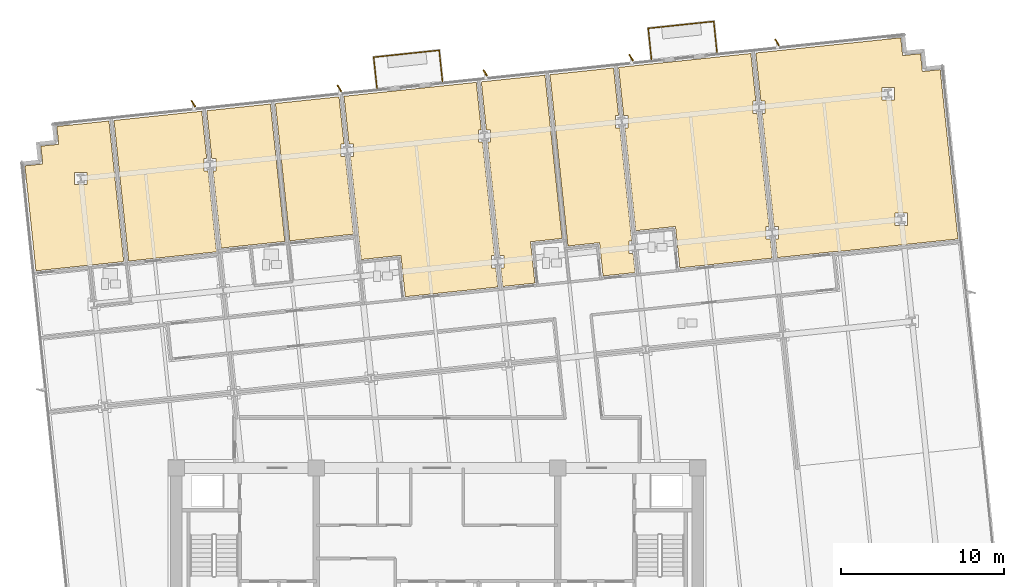
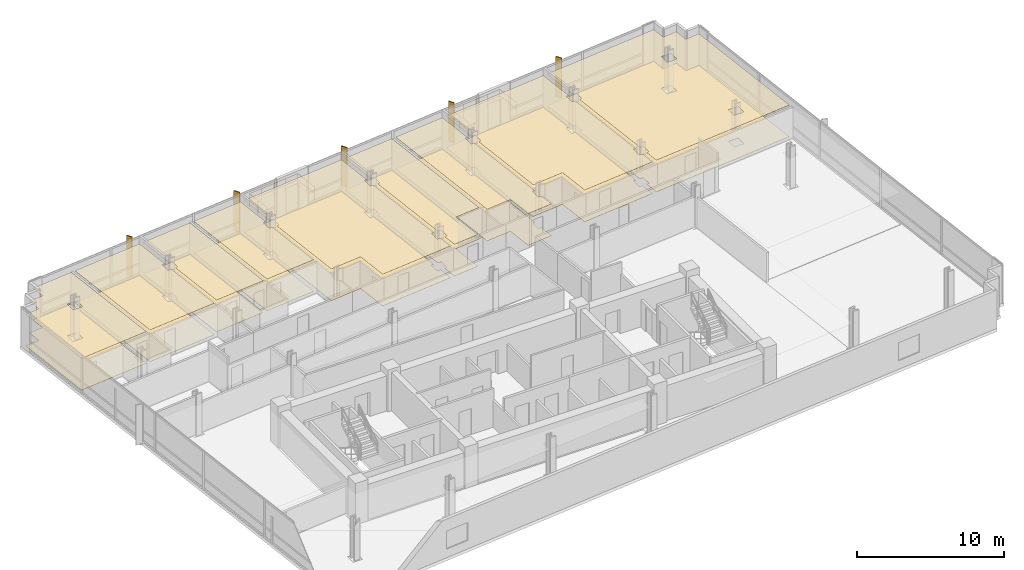
# One storey, part 16 of 17: 18 coverings, 6 railings, 5 shading devices.
"""IFC4 building model written with IfcOpenShell, lengths in metres."""

from ifc_helpers import new_model, si_unit, direction, frame, origin, origin_2d, place, context, subcontext, project, spatial, polyline, rectangle, circle, outline, extrude, material, layer, layer_set, type_object, element, save


model = new_model("IFC4")

# Units and contexts
model_context = context("Model", 3, precision=1e-05, world=origin(), true_north=direction((0.0, 1.0)))
body_context = subcontext(model_context, "Body", "Model", "MODEL_VIEW")
ifc_project = project(units=[si_unit("LENGTHUNIT", "METRE"), si_unit("AREAUNIT", "SQUARE_METRE"), si_unit("VOLUMEUNIT", "CUBIC_METRE"), si_unit("PLANEANGLEUNIT", "RADIAN"), si_unit("MASSUNIT", "GRAM", prefix="KILO")], contexts=[model_context])

# Site, building, storey
site_placement = place(None, origin())
site = spatial("IfcSite", under=ifc_project, at=site_placement, CompositionType="ELEMENT")
building_placement = place(site_placement, origin())
building = spatial("IfcBuilding", under=site, at=building_placement, Name="Solmavex Isthmus Hotel", CompositionType="ELEMENT")
storey_placement = place(building_placement, frame((0.0, 0.0, 116.699951171875)))
storey = spatial("IfcBuildingStorey", under=building, at=storey_placement, Name="L31", CompositionType="ELEMENT", Elevation=116.699951171875)

# Coverings
ifc_material_1 = material(Name="Gypsum plasterboard lining", Category="gypsum")
ifc_layer_1 = layer(ifc_material_1, 0.030029296875)
ifc_layer_set_1 = layer_set([ifc_layer_1], Name="Gypsum plasterboard lining")
covering_type_1 = type_object("IfcCoveringType", Name="COV-CEIL-GYP", PredefinedType="CEILING", material=ifc_layer_set_1)
covering_1_placement = place(storey_placement, frame((0.0, 0.0, 2.6201171875)))
element("IfcCovering", 1, at=covering_1_placement, inside=storey, type_object=covering_type_1, Name="Suspended Acoustic Ceiling L31-HB01", PredefinedType="CEILING", context=body_context, shape_type="SweptSolid", body=[
    extrude(outline(polyline([(-25.276123046875, 16.030029296875), (-25.18994140625, 15.20947265625), (-24.599609375, 9.593505859375), (-19.21533203125, 10.159423828125), (-20.121826171875, 18.783935546875), (-22.49755859375, 18.5341796875), (-23.318115234375, 18.447998046875), (-23.203125, 17.35400390625), (-24.297119140625, 17.239013671875), (-24.18212890625, 16.14501953125), (-25.276123046875, 16.030029296875)]), holes=[polyline([(-22.231689453125, 14.878662109375), (-22.231689453125, 15.638671875), (-21.4716796875, 15.638671875), (-21.4716796875, 14.878662109375), (-22.231689453125, 14.878662109375)])]), origin(), (0.0, 0.0, 1.0), 0.030029296875),
])
covering_2_placement = place(storey_placement, frame((0.0, 0.0, 2.6201171875)))
element("IfcCovering", 2, at=covering_2_placement, inside=storey, type_object=covering_type_1, Name="Suspended Acoustic Ceiling L31-HP01", PredefinedType="CEILING", context=body_context, shape_type="SweptSolid", body=[
    extrude(outline(polyline([(-14.043212890625, 15.711669921875), (-14.307373046875, 15.711669921875), (-14.307373046875, 16.4716796875), (-14.123291015625, 16.4716796875), (-14.42919921875, 19.38232421875), (-19.8134765625, 18.81640625), (-18.906982421875, 10.19189453125), (-13.522705078125, 10.7578125), (-14.043212890625, 15.711669921875)])), origin(), (0.0, 0.0, 1.0), 0.030029296875),
])
covering_3_placement = place(storey_placement, frame((0.0, 0.0, 2.6201171875)))
element("IfcCovering", 3, at=covering_3_placement, inside=storey, type_object=covering_type_1, Name="Suspended Acoustic Ceiling L31-TB02", PredefinedType="CEILING", context=body_context, shape_type="SweptSolid", body=[
    extrude(outline(polyline([(-13.8115234375, 16.4716796875), (-13.54736328125, 16.4716796875), (-13.54736328125, 15.711669921875), (-13.731689453125, 15.711669921875), (-13.235107421875, 10.989013671875), (-9.333740234375, 11.399169921875), (-10.21923828125, 19.82470703125), (-14.120849609375, 19.41455078125), (-13.927978515625, 17.5810546875), (-13.8115234375, 16.4716796875)])), origin(), (0.0, 0.0, 1.0), 0.030029296875),
])
covering_4_placement = place(storey_placement, frame((0.0, 0.0, 2.6201171875)))
element("IfcCovering", 4, at=covering_4_placement, inside=storey, type_object=covering_type_1, Name="Suspended Acoustic Ceiling L31-TL02", PredefinedType="CEILING", context=body_context, shape_type="SweptSolid", body=[
    extrude(outline(polyline([(-5.623779296875, 16.5966796875), (-5.8876953125, 16.5966796875), (-5.8876953125, 17.356689453125), (-5.70361328125, 17.356689453125), (-6.009521484375, 20.26708984375), (-9.910888671875, 19.857177734375), (-9.025390625, 11.431640625), (-5.123779296875, 11.841552734375), (-5.623779296875, 16.5966796875)])), origin(), (0.0, 0.0, 1.0), 0.030029296875),
])
covering_5_placement = place(storey_placement, frame((0.0, 0.0, 2.6201171875)))
element("IfcCovering", 5, at=covering_5_placement, inside=storey, type_object=covering_type_1, Name="Suspended Acoustic Ceiling L31-RM03", PredefinedType="CEILING", context=body_context, shape_type="SweptSolid", body=[
    extrude(outline(polyline([(-5.391845703125, 17.356689453125), (-5.127685546875, 17.356689453125), (-5.127685546875, 16.5966796875), (-5.31201171875, 16.5966796875), (-4.648681640625, 10.28466796875), (-2.2119140625, 10.540771484375), (-1.945556640625, 8.0048828125), (3.729248046875, 8.601318359375), (3.606201171875, 9.77197265625), (3.34228515625, 9.77197265625), (3.34228515625, 10.531982421875), (3.5263671875, 10.531982421875), (2.7958984375, 17.4814453125), (2.53173828125, 17.4814453125), (2.53173828125, 18.241455078125), (2.716064453125, 18.241455078125), (2.41015625, 21.152099609375), (-5.701171875, 20.299560546875), (-5.391845703125, 17.356689453125)])), origin(), (0.0, 0.0, 1.0), 0.030029296875),
])
covering_6_placement = place(storey_placement, frame((0.0, 0.0, 2.6201171875)))
element("IfcCovering", 6, at=covering_6_placement, inside=storey, type_object=covering_type_1, Name="Suspended Acoustic Ceiling L31-RM04", PredefinedType="CEILING", context=body_context, shape_type="SweptSolid", body=[
    extrude(outline(polyline([(3.838134765625, 10.531982421875), (4.10205078125, 10.531982421875), (4.10205078125, 9.77197265625), (3.91796875, 9.77197265625), (4.03759765625, 8.633544921875), (6.002685546875, 8.840087890625), (5.736083984375, 11.376220703125), (7.672607421875, 11.579833984375), (6.619873046875, 21.594482421875), (2.718505859375, 21.1845703125), (3.02783203125, 18.241455078125), (3.291748046875, 18.241455078125), (3.291748046875, 17.4814453125), (3.107666015625, 17.4814453125), (3.838134765625, 10.531982421875)])), origin(), (0.0, 0.0, 1.0), 0.030029296875),
])
covering_7_placement = place(storey_placement, frame((0.0, 0.0, 2.6201171875)))
element("IfcCovering", 7, at=covering_7_placement, inside=storey, type_object=covering_type_1, Name="Suspended Acoustic Ceiling L31-RM05", PredefinedType="CEILING", context=body_context, shape_type="SweptSolid", body=[
    extrude(outline(polyline([(11.215576171875, 18.366455078125), (10.951416015625, 18.366455078125), (10.951416015625, 19.12646484375), (11.1357421875, 19.12646484375), (10.829833984375, 22.037109375), (6.92822265625, 21.626953125), (8.033203125, 11.114990234375), (9.9697265625, 11.318359375), (10.183837890625, 9.279541015625), (12.14892578125, 9.486083984375), (12.02587890625, 10.656982421875), (11.76171875, 10.656982421875), (11.76171875, 11.4169921875), (11.946044921875, 11.4169921875), (11.215576171875, 18.366455078125)])), origin(), (0.0, 0.0, 1.0), 0.030029296875),
])
covering_8_placement = place(storey_placement, frame((0.0, 0.0, 2.6201171875)))
element("IfcCovering", 8, at=covering_8_placement, inside=storey, type_object=covering_type_1, Name="Suspended Acoustic Ceiling L31-RM06", PredefinedType="CEILING", context=body_context, shape_type="SweptSolid", body=[
    extrude(outline(polyline([(11.447509765625, 19.12646484375), (11.71142578125, 19.12646484375), (11.71142578125, 18.366455078125), (11.52734375, 18.366455078125), (11.71142578125, 16.614501953125), (12.190673828125, 12.0546875), (14.627197265625, 12.310791015625), (14.893798828125, 9.774658203125), (20.568603515625, 10.37109375), (20.445556640625, 11.541748046875), (20.181396484375, 11.541748046875), (20.181396484375, 12.3017578125), (20.36572265625, 12.3017578125), (19.63525390625, 19.25146484375), (19.37109375, 19.25146484375), (19.37109375, 20.011474609375), (19.555419921875, 20.011474609375), (19.24951171875, 22.921875), (11.13818359375, 22.0693359375), (11.447509765625, 19.12646484375)])), origin(), (0.0, 0.0, 1.0), 0.030029296875),
])
covering_9_placement = place(storey_placement, frame((0.0, 0.0, 2.6201171875)))
element("IfcCovering", 9, at=covering_9_placement, inside=storey, type_object=covering_type_1, Name="Suspended Acoustic Ceiling L31-RM07", PredefinedType="CEILING", context=body_context, shape_type="SweptSolid", body=[
    extrude(outline(polyline([(20.67724609375, 12.3017578125), (20.94140625, 12.3017578125), (20.94140625, 11.541748046875), (20.75732421875, 11.541748046875), (20.876953125, 10.403564453125), (24.45703125, 10.77978515625), (24.459228515625, 10.760009765625), (31.955810546875, 11.5478515625), (30.950927734375, 21.110107421875), (30.86474609375, 21.9306640625), (29.770751953125, 21.815673828125), (29.65576171875, 22.90966796875), (28.561767578125, 22.794677734375), (28.44677734375, 23.888671875), (27.626220703125, 23.802490234375), (19.5576171875, 22.954345703125), (19.866943359375, 20.011474609375), (20.131103515625, 20.011474609375), (20.131103515625, 19.25146484375), (19.947021484375, 19.25146484375), (20.67724609375, 12.3017578125)]), holes=[polyline([(28.105712890625, 12.374755859375), (28.105712890625, 13.134765625), (28.86572265625, 13.134765625), (28.86572265625, 12.374755859375), (28.105712890625, 12.374755859375)]), polyline([(27.29541015625, 20.84423828125), (28.055419921875, 20.84423828125), (28.055419921875, 20.084228515625), (27.29541015625, 20.084228515625), (27.29541015625, 20.84423828125)])]), origin(), (0.0, 0.0, 1.0), 0.030029296875),
])
ifc_material_2 = material(Name="Travertine natural stone", Category="masonry")
ifc_layer_2 = layer(ifc_material_2, 0.02490234375)
ifc_layer_set_2 = layer_set([ifc_layer_2], Name="Travertine natural stone")
covering_type_2 = type_object("IfcCoveringType", Name="COV-FLOR-STN", PredefinedType="FLOORING", material=ifc_layer_set_2)
covering_10_placement = place(storey_placement, origin())
element("IfcCovering", 10, at=covering_10_placement, inside=storey, type_object=covering_type_2, Name="Stone and Timber Floor Finish L31-HB01", PredefinedType="FLOORING", context=body_context, shape_type="SweptSolid", body=[
    extrude(outline(polyline([(-25.276123046875, 16.030029296875), (-25.18994140625, 15.20947265625), (-24.599609375, 9.593505859375), (-19.21533203125, 10.159423828125), (-20.121826171875, 18.783935546875), (-22.49755859375, 18.5341796875), (-23.318115234375, 18.447998046875), (-23.203125, 17.35400390625), (-24.297119140625, 17.239013671875), (-24.18212890625, 16.14501953125), (-25.276123046875, 16.030029296875)]), holes=[polyline([(-22.231689453125, 14.878662109375), (-22.231689453125, 15.638671875), (-21.4716796875, 15.638671875), (-21.4716796875, 14.878662109375), (-22.231689453125, 14.878662109375)])]), origin(), (0.0, 0.0, 1.0), 0.025146484375),
])
covering_11_placement = place(storey_placement, origin())
element("IfcCovering", 11, at=covering_11_placement, inside=storey, type_object=covering_type_2, Name="Stone and Timber Floor Finish L31-HP01", PredefinedType="FLOORING", context=body_context, shape_type="SweptSolid", body=[
    extrude(outline(polyline([(-14.043212890625, 15.711669921875), (-14.307373046875, 15.711669921875), (-14.307373046875, 16.4716796875), (-14.123291015625, 16.4716796875), (-14.42919921875, 19.38232421875), (-19.8134765625, 18.81640625), (-18.906982421875, 10.19189453125), (-13.522705078125, 10.7578125), (-14.043212890625, 15.711669921875)])), origin(), (0.0, 0.0, 1.0), 0.025146484375),
])
covering_12_placement = place(storey_placement, origin())
element("IfcCovering", 12, at=covering_12_placement, inside=storey, type_object=covering_type_2, Name="Stone and Timber Floor Finish L31-TB02", PredefinedType="FLOORING", context=body_context, shape_type="SweptSolid", body=[
    extrude(outline(polyline([(-13.8115234375, 16.4716796875), (-13.54736328125, 16.4716796875), (-13.54736328125, 15.711669921875), (-13.731689453125, 15.711669921875), (-13.235107421875, 10.989013671875), (-9.333740234375, 11.399169921875), (-10.21923828125, 19.82470703125), (-14.120849609375, 19.41455078125), (-13.927978515625, 17.5810546875), (-13.8115234375, 16.4716796875)])), origin(), (0.0, 0.0, 1.0), 0.025146484375),
])
covering_13_placement = place(storey_placement, origin())
element("IfcCovering", 13, at=covering_13_placement, inside=storey, type_object=covering_type_2, Name="Stone and Timber Floor Finish L31-TL02", PredefinedType="FLOORING", context=body_context, shape_type="SweptSolid", body=[
    extrude(outline(polyline([(-5.623779296875, 16.5966796875), (-5.8876953125, 16.5966796875), (-5.8876953125, 17.356689453125), (-5.70361328125, 17.356689453125), (-6.009521484375, 20.26708984375), (-9.910888671875, 19.857177734375), (-9.025390625, 11.431640625), (-5.123779296875, 11.841552734375), (-5.623779296875, 16.5966796875)])), origin(), (0.0, 0.0, 1.0), 0.025146484375),
])
covering_14_placement = place(storey_placement, origin())
element("IfcCovering", 14, at=covering_14_placement, inside=storey, type_object=covering_type_2, Name="Stone and Timber Floor Finish L31-RM03", PredefinedType="FLOORING", context=body_context, shape_type="SweptSolid", body=[
    extrude(outline(polyline([(-5.391845703125, 17.356689453125), (-5.127685546875, 17.356689453125), (-5.127685546875, 16.5966796875), (-5.31201171875, 16.5966796875), (-4.648681640625, 10.28466796875), (-2.2119140625, 10.540771484375), (-1.945556640625, 8.0048828125), (3.729248046875, 8.601318359375), (3.606201171875, 9.77197265625), (3.34228515625, 9.77197265625), (3.34228515625, 10.531982421875), (3.5263671875, 10.531982421875), (2.7958984375, 17.4814453125), (2.53173828125, 17.4814453125), (2.53173828125, 18.241455078125), (2.716064453125, 18.241455078125), (2.41015625, 21.152099609375), (-5.701171875, 20.299560546875), (-5.391845703125, 17.356689453125)])), origin(), (0.0, 0.0, 1.0), 0.025146484375),
])
covering_15_placement = place(storey_placement, origin())
element("IfcCovering", 15, at=covering_15_placement, inside=storey, type_object=covering_type_2, Name="Stone and Timber Floor Finish L31-RM04", PredefinedType="FLOORING", context=body_context, shape_type="SweptSolid", body=[
    extrude(outline(polyline([(3.838134765625, 10.531982421875), (4.10205078125, 10.531982421875), (4.10205078125, 9.77197265625), (3.91796875, 9.77197265625), (4.03759765625, 8.633544921875), (6.002685546875, 8.840087890625), (5.736083984375, 11.376220703125), (7.672607421875, 11.579833984375), (6.619873046875, 21.594482421875), (2.718505859375, 21.1845703125), (3.02783203125, 18.241455078125), (3.291748046875, 18.241455078125), (3.291748046875, 17.4814453125), (3.107666015625, 17.4814453125), (3.838134765625, 10.531982421875)])), origin(), (0.0, 0.0, 1.0), 0.025146484375),
])
covering_16_placement = place(storey_placement, origin())
element("IfcCovering", 16, at=covering_16_placement, inside=storey, type_object=covering_type_2, Name="Stone and Timber Floor Finish L31-RM05", PredefinedType="FLOORING", context=body_context, shape_type="SweptSolid", body=[
    extrude(outline(polyline([(11.215576171875, 18.366455078125), (10.951416015625, 18.366455078125), (10.951416015625, 19.12646484375), (11.1357421875, 19.12646484375), (10.829833984375, 22.037109375), (6.92822265625, 21.626953125), (8.033203125, 11.114990234375), (9.9697265625, 11.318359375), (10.183837890625, 9.279541015625), (12.14892578125, 9.486083984375), (12.02587890625, 10.656982421875), (11.76171875, 10.656982421875), (11.76171875, 11.4169921875), (11.946044921875, 11.4169921875), (11.215576171875, 18.366455078125)])), origin(), (0.0, 0.0, 1.0), 0.025146484375),
])
covering_17_placement = place(storey_placement, origin())
element("IfcCovering", 17, at=covering_17_placement, inside=storey, type_object=covering_type_2, Name="Stone and Timber Floor Finish L31-RM06", PredefinedType="FLOORING", context=body_context, shape_type="SweptSolid", body=[
    extrude(outline(polyline([(11.447509765625, 19.12646484375), (11.71142578125, 19.12646484375), (11.71142578125, 18.366455078125), (11.52734375, 18.366455078125), (11.71142578125, 16.614501953125), (12.190673828125, 12.0546875), (14.627197265625, 12.310791015625), (14.893798828125, 9.774658203125), (20.568603515625, 10.37109375), (20.445556640625, 11.541748046875), (20.181396484375, 11.541748046875), (20.181396484375, 12.3017578125), (20.36572265625, 12.3017578125), (19.63525390625, 19.25146484375), (19.37109375, 19.25146484375), (19.37109375, 20.011474609375), (19.555419921875, 20.011474609375), (19.24951171875, 22.921875), (11.13818359375, 22.0693359375), (11.447509765625, 19.12646484375)])), origin(), (0.0, 0.0, 1.0), 0.025146484375),
])
covering_18_placement = place(storey_placement, origin())
element("IfcCovering", 18, at=covering_18_placement, inside=storey, type_object=covering_type_2, Name="Stone and Timber Floor Finish L31-RM07", PredefinedType="FLOORING", context=body_context, shape_type="SweptSolid", body=[
    extrude(outline(polyline([(20.67724609375, 12.3017578125), (20.94140625, 12.3017578125), (20.94140625, 11.541748046875), (20.75732421875, 11.541748046875), (20.876953125, 10.403564453125), (24.45703125, 10.77978515625), (24.459228515625, 10.760009765625), (31.955810546875, 11.5478515625), (30.950927734375, 21.110107421875), (30.86474609375, 21.9306640625), (29.770751953125, 21.815673828125), (29.65576171875, 22.90966796875), (28.561767578125, 22.794677734375), (28.44677734375, 23.888671875), (27.626220703125, 23.802490234375), (19.5576171875, 22.954345703125), (19.866943359375, 20.011474609375), (20.131103515625, 20.011474609375), (20.131103515625, 19.25146484375), (19.947021484375, 19.25146484375), (20.67724609375, 12.3017578125)]), holes=[polyline([(28.105712890625, 12.374755859375), (28.105712890625, 13.134765625), (28.86572265625, 13.134765625), (28.86572265625, 12.374755859375), (28.105712890625, 12.374755859375)]), polyline([(27.29541015625, 20.84423828125), (28.055419921875, 20.84423828125), (28.055419921875, 20.084228515625), (27.29541015625, 20.084228515625), (27.29541015625, 20.84423828125)])]), origin(), (0.0, 0.0, 1.0), 0.025146484375),
])

# Railings
ifc_material_3 = material(Name="Clear low-E laminated glass", Category="glass")
ifc_layer_3 = layer(ifc_material_3, 0.070068359375)
ifc_layer_set_3 = layer_set([ifc_layer_3], Name="Clear low-E laminated glass")
railing_type = type_object("IfcRailingType", Name="RAIL-GUARD-1100", PredefinedType="BALUSTRADE", material=ifc_layer_set_3)
railing_1_placement = place(storey_placement, frame((-3.68310546875, 20.7880859375, 0.0)))
element("IfcRailing", 19, at=railing_1_placement, inside=storey, type_object=railing_type, Name="Guardrail Balustrade L31-BAL1-01", PredefinedType="BALUSTRADE", context=body_context, shape_type="SweptSolid", body=[
    extrude(circle(Radius=0.02392578125, at=origin_2d()), frame((0.0, 0.0, 1.09619140625), z_axis=(-0.104512702575, 0.994523551758, 0.0), x_axis=(-0.994523551758, -0.104512702575, 0.0)), (0.0, 0.0, 1.0), 1.920166015625),
    extrude(circle(Radius=0.02392578125, at=origin_2d()), frame((0.0, 0.0, 0.56005859375), z_axis=(-0.104512702575, 0.994523551758, 0.0), x_axis=(-0.994523551758, -0.104512702575, 0.0)), (0.0, 0.0, 1.0), 1.920166015625),
    extrude(circle(Radius=0.02099609375, at=origin_2d()), origin(), (0.0, 0.0, 1.0), 1.072021484375),
    extrude(circle(Radius=0.02099609375, at=origin_2d()), frame((-0.100341796875, 0.954833984375, 0.0)), (0.0, 0.0, 1.0), 1.072021484375),
    extrude(circle(Radius=0.02099609375, at=origin_2d()), frame((-0.20068359375, 1.90966796875, 0.0)), (0.0, 0.0, 1.0), 1.072021484375),
])
railing_2_placement = place(storey_placement, frame((-3.8837890625, 22.69775390625, 0.0)))
element("IfcRailing", 20, at=railing_2_placement, inside=storey, type_object=railing_type, Name="Guardrail Balustrade L31-BAL1-02", PredefinedType="BALUSTRADE", context=body_context, shape_type="SweptSolid", body=[
    extrude(circle(Radius=0.02392578125, at=origin_2d()), frame((0.0, 0.0, 1.09619140625), z_axis=(0.994526294567, 0.104486599216, 0.0), x_axis=(-0.104486599216, 0.994526294567, 0.0)), (0.0, 0.0, 1.0), 4.0400390625),
    extrude(circle(Radius=0.02392578125, at=origin_2d()), frame((0.0, 0.0, 0.56005859375), z_axis=(0.994526294567, 0.104486599216, 0.0), x_axis=(-0.104486599216, 0.994526294567, 0.0)), (0.0, 0.0, 1.0), 4.0400390625),
    extrude(circle(Radius=0.02099609375, at=origin_2d()), origin(), (0.0, 0.0, 1.0), 1.072021484375),
    extrude(circle(Radius=0.02099609375, at=origin_2d()), frame((1.00439453125, 0.10546875, 0.0)), (0.0, 0.0, 1.0), 1.072021484375),
    extrude(circle(Radius=0.02099609375, at=origin_2d()), frame((2.0087890625, 0.2109375, 0.0)), (0.0, 0.0, 1.0), 1.072021484375),
    extrude(circle(Radius=0.02099609375, at=origin_2d()), frame((3.013427734375, 0.316650390625, 0.0)), (0.0, 0.0, 1.0), 1.072021484375),
    extrude(circle(Radius=0.02099609375, at=origin_2d()), frame((4.017822265625, 0.422119140625, 0.0)), (0.0, 0.0, 1.0), 1.072021484375),
])
railing_3_placement = place(storey_placement, frame((0.134033203125, 23.119873046875, 0.0)))
element("IfcRailing", 21, at=railing_3_placement, inside=storey, type_object=railing_type, Name="Guardrail Balustrade L31-BAL1-03", PredefinedType="BALUSTRADE", context=body_context, shape_type="SweptSolid", body=[
    extrude(circle(Radius=0.02392578125, at=origin_2d()), frame((0.0, 0.0, 1.09619140625), z_axis=(0.104525919671, -0.994522162708, 0.0), x_axis=(0.994522162708, 0.104525919671, 0.0)), (0.0, 0.0, 1.0), 1.919921875),
    extrude(circle(Radius=0.02392578125, at=origin_2d()), frame((0.0, 0.0, 0.56005859375), z_axis=(0.104525919671, -0.994522162708, 0.0), x_axis=(0.994522162708, 0.104525919671, 0.0)), (0.0, 0.0, 1.0), 1.919921875),
    extrude(circle(Radius=0.02099609375, at=origin_2d()), origin(), (0.0, 0.0, 1.0), 1.072021484375),
    extrude(circle(Radius=0.02099609375, at=origin_2d()), frame((0.100341796875, -0.95458984375, 0.0)), (0.0, 0.0, 1.0), 1.072021484375),
    extrude(circle(Radius=0.02099609375, at=origin_2d()), frame((0.20068359375, -1.909423828125, 0.0)), (0.0, 0.0, 1.0), 1.072021484375),
])
railing_4_placement = place(storey_placement, frame((13.156005859375, 22.55810546875, 0.0)))
element("IfcRailing", 22, at=railing_4_placement, inside=storey, type_object=railing_type, Name="Guardrail Balustrade L31-BAL2-01", PredefinedType="BALUSTRADE", context=body_context, shape_type="SweptSolid", body=[
    extrude(circle(Radius=0.02392578125, at=origin_2d()), frame((0.0, 0.0, 1.09619140625), z_axis=(-0.104525919671, 0.994522162708, 0.0), x_axis=(-0.994522162708, -0.104525919671, 0.0)), (0.0, 0.0, 1.0), 1.919921875),
    extrude(circle(Radius=0.02392578125, at=origin_2d()), frame((0.0, 0.0, 0.56005859375), z_axis=(-0.104525919671, 0.994522162708, 0.0), x_axis=(-0.994522162708, -0.104525919671, 0.0)), (0.0, 0.0, 1.0), 1.919921875),
    extrude(circle(Radius=0.02099609375, at=origin_2d()), origin(), (0.0, 0.0, 1.0), 1.072021484375),
    extrude(circle(Radius=0.02099609375, at=origin_2d()), frame((-0.100341796875, 0.95458984375, 0.0)), (0.0, 0.0, 1.0), 1.072021484375),
    extrude(circle(Radius=0.02099609375, at=origin_2d()), frame((-0.20068359375, 1.909423828125, 0.0)), (0.0, 0.0, 1.0), 1.072021484375),
])
railing_5_placement = place(storey_placement, frame((12.955322265625, 24.467529296875, 0.0)))
element("IfcRailing", 23, at=railing_5_placement, inside=storey, type_object=railing_type, Name="Guardrail Balustrade L31-BAL2-02", PredefinedType="BALUSTRADE", context=body_context, shape_type="SweptSolid", body=[
    extrude(circle(Radius=0.02392578125, at=origin_2d()), frame((0.0, 0.0, 1.09619140625), z_axis=(0.994520013058, 0.104546370699, 0.0), x_axis=(-0.104546370699, 0.994520013058, 0.0)), (0.0, 0.0, 1.0), 4.0400390625),
    extrude(circle(Radius=0.02392578125, at=origin_2d()), frame((0.0, 0.0, 0.56005859375), z_axis=(0.994520013058, 0.104546370699, 0.0), x_axis=(-0.104546370699, 0.994520013058, 0.0)), (0.0, 0.0, 1.0), 4.0400390625),
    extrude(circle(Radius=0.02099609375, at=origin_2d()), origin(), (0.0, 0.0, 1.0), 1.072021484375),
    extrude(circle(Radius=0.02099609375, at=origin_2d()), frame((1.00439453125, 0.10546875, 0.0)), (0.0, 0.0, 1.0), 1.072021484375),
    extrude(circle(Radius=0.02099609375, at=origin_2d()), frame((2.0087890625, 0.211181640625, 0.0)), (0.0, 0.0, 1.0), 1.072021484375),
    extrude(circle(Radius=0.02099609375, at=origin_2d()), frame((3.013427734375, 0.31689453125, 0.0)), (0.0, 0.0, 1.0), 1.072021484375),
    extrude(circle(Radius=0.02099609375, at=origin_2d()), frame((4.017822265625, 0.42236328125, 0.0)), (0.0, 0.0, 1.0), 1.072021484375),
])
railing_6_placement = place(storey_placement, frame((16.97314453125, 24.889892578125, 0.0)))
element("IfcRailing", 24, at=railing_6_placement, inside=storey, type_object=railing_type, Name="Guardrail Balustrade L31-BAL2-03", PredefinedType="BALUSTRADE", context=body_context, shape_type="SweptSolid", body=[
    extrude(circle(Radius=0.02392578125, at=origin_2d()), frame((0.0, 0.0, 1.09619140625), z_axis=(0.104525919671, -0.994522162708, 0.0), x_axis=(0.994522162708, 0.104525919671, 0.0)), (0.0, 0.0, 1.0), 1.919921875),
    extrude(circle(Radius=0.02392578125, at=origin_2d()), frame((0.0, 0.0, 0.56005859375), z_axis=(0.104525919671, -0.994522162708, 0.0), x_axis=(0.994522162708, 0.104525919671, 0.0)), (0.0, 0.0, 1.0), 1.919921875),
    extrude(circle(Radius=0.02099609375, at=origin_2d()), origin(), (0.0, 0.0, 1.0), 1.072021484375),
    extrude(circle(Radius=0.02099609375, at=origin_2d()), frame((0.100341796875, -0.95458984375, 0.0)), (0.0, 0.0, 1.0), 1.072021484375),
    extrude(circle(Radius=0.02099609375, at=origin_2d()), frame((0.20068359375, -1.909423828125, 0.0)), (0.0, 0.0, 1.0), 1.072021484375),
])

# Shading devices
ifc_material_4 = material(Name="Aluminium alloy 6063-T6", Category="aluminium")
shading_device_type = type_object("IfcShadingDeviceType", Name="SHD-FIN-BRONZE", PredefinedType="USERDEFINED", material=ifc_material_4)
for number, where, z_axis, x_axis, name in (
    (25, (-14.943359375, 19.845947265625, -0.139892578125), (0.0, 0.0, 1.0), (-0.529919264233, 0.848048096156, 0.0), "Anodised Aluminium Solar Fin L31-N1"),
    (26, (-5.99267578125, 20.786865234375, -0.139892578125), (0.0, 0.0, 1.0), (-0.529919264233, 0.848048096156, 0.0), "Anodised Aluminium Solar Fin L31-N2"),
    (27, (2.9580078125, 21.7275390625, -0.139892578125), (0.0, 0.0, 1.0), (-0.529919264233, 0.848048096156, 0.0), "Anodised Aluminium Solar Fin L31-N3"),
    (28, (11.90869140625, 22.668212890625, -0.139892578125), (0.0, 0.0, 1.0), (-0.529919264233, 0.848048096156, 0.0), "Anodised Aluminium Solar Fin L31-N4"),
    (29, (20.859375, 23.609130859375, -0.139892578125), (0.0, 0.0, 1.0), (-0.529919264233, 0.848048096156, 0.0), "Anodised Aluminium Solar Fin L31-N5"),
):
    element("IfcShadingDevice", number, at=place(storey_placement, frame(where, z_axis=z_axis, x_axis=x_axis)), inside=storey, type_object=shading_device_type, Name=name, ObjectType="SOLAR_FIN", PredefinedType="USERDEFINED", context=body_context, shape_type="SweptSolid", body=[
        extrude(rectangle(XDim=0.449951171875, YDim=0.080078125, at=origin_2d()), origin(), (0.0, 0.0, 1.0), 3.330078125),
    ])

save(model, "model.ifc")
